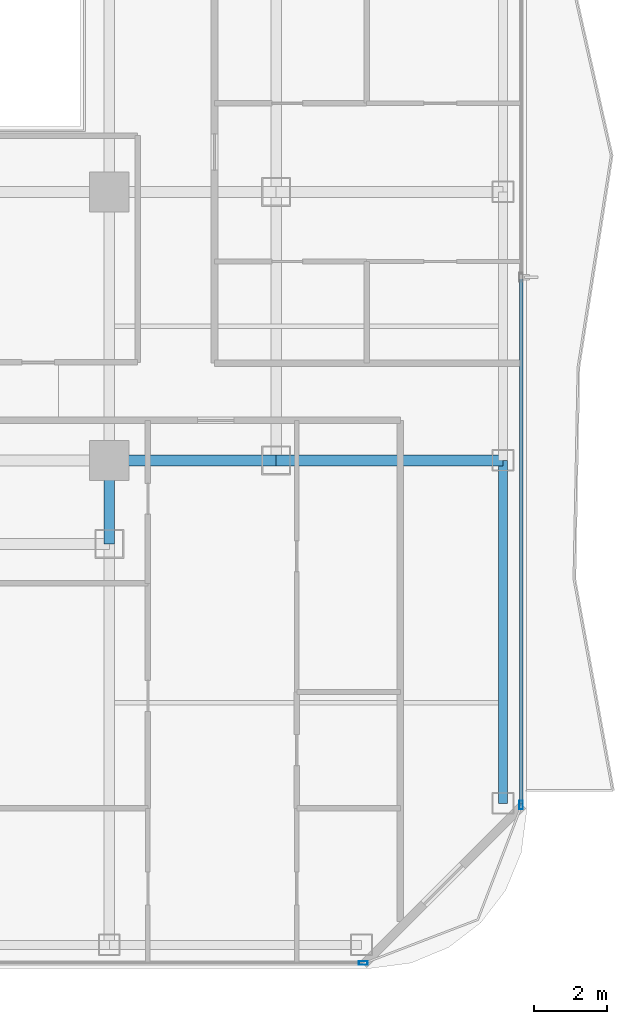
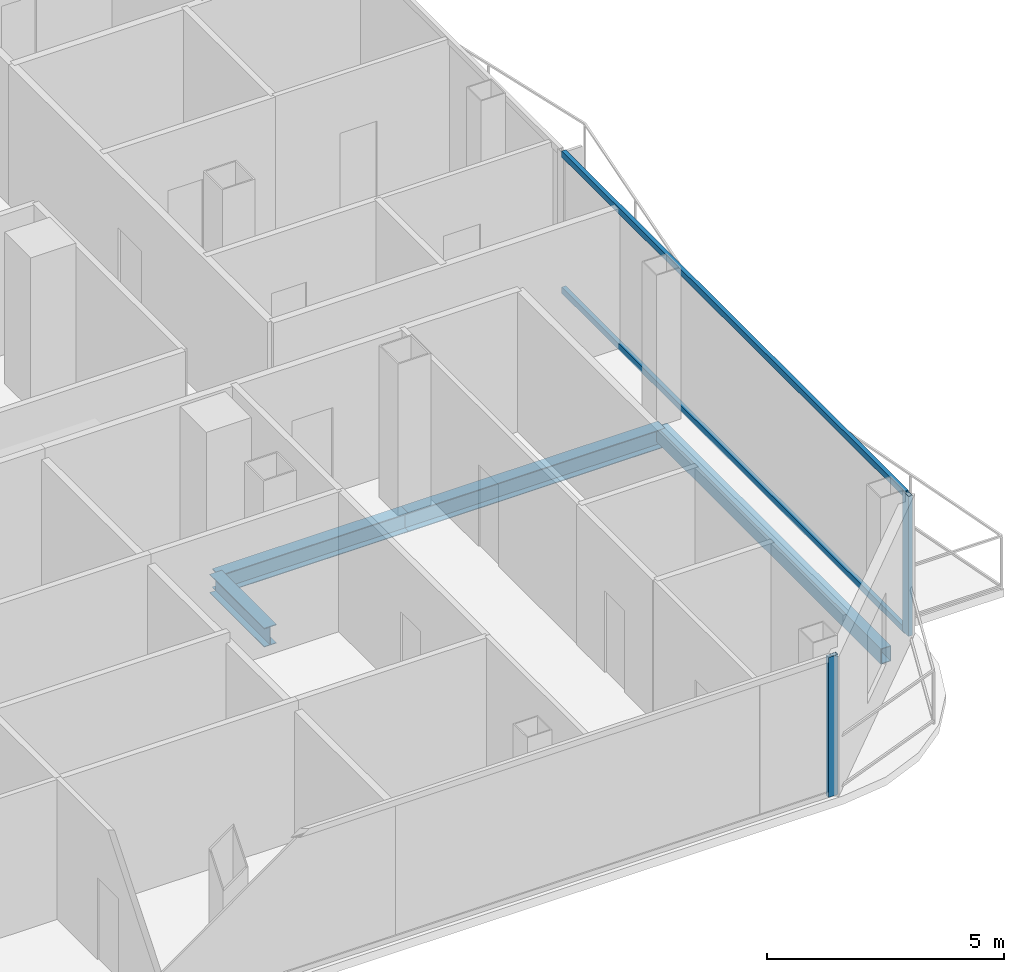
# One storey, part 10 of 27: 4 beams, 4 members, 2 elements without a shape of their own.
"""IFC4 building model written with IfcOpenShell, lengths in metres."""

from ifc_helpers import new_model, si_unit, direction, frame, origin, origin_2d, place, context, subcontext, project, spatial, hollow_rectangle, i_section, extrude, material, layer, layer_set, material_profile, profile_set, type_object, element, aggregate, save


model = new_model("IFC4")

# Units and contexts
model_context = context("Model", 3, precision=1e-05, world=origin(), true_north=direction((0.0, 1.0)))
body_context = subcontext(model_context, "Body", "Model", "MODEL_VIEW")
ifc_project = project(units=[si_unit("LENGTHUNIT", "METRE"), si_unit("AREAUNIT", "SQUARE_METRE"), si_unit("VOLUMEUNIT", "CUBIC_METRE"), si_unit("PLANEANGLEUNIT", "RADIAN"), si_unit("MASSUNIT", "GRAM", prefix="KILO")], contexts=[model_context])

# Site, building, storey
site_placement = place(None, origin())
site = spatial("IfcSite", under=ifc_project, at=site_placement, CompositionType="ELEMENT")
building_placement = place(site_placement, origin())
building = spatial("IfcBuilding", under=site, at=building_placement, Name="Khorvyn Point Tower", CompositionType="ELEMENT")
storey_placement = place(building_placement, frame((0.0, 0.0, 231.300048828125)))
storey = spatial("IfcBuildingStorey", under=building, at=storey_placement, Name="L57", CompositionType="ELEMENT", Elevation=231.300048828125)

# Curtain wall, member
ifc_material_1 = material(Name="Anodised aluminium 6063-T6 and laminated Low-E glass", Category="aluminium")
ifc_layer = layer(ifc_material_1, 0.18994140625)
ifc_layer_set = layer_set([ifc_layer], Name="Stick-Built Acoustic Curtain Wall CW-SYS-03")
curtain_wall_type = type_object("IfcCurtainWallType", Name="Stick-Built Acoustic Curtain Wall CW-SYS-03", PredefinedType="NOTDEFINED", material=ifc_layer_set)
curtain_wall_1_placement = place(storey_placement, origin())
curtain_wall_1 = element("IfcCurtainWall", 1, at=curtain_wall_1_placement, inside=storey, type_object=curtain_wall_type, Name="Curtain Wall", PredefinedType="NOTDEFINED")
ifc_material_2 = material(Name="Anodised aluminium 6063-T6", Category="aluminium")
ifc_material_profile_1 = material_profile(ifc_material_2, hollow_rectangle(XDim=0.10009765625, YDim=0.239990234375, WallThickness=0.0048828125, at=origin_2d()))
ifc_profile_set_1 = profile_set([ifc_material_profile_1], Name="Anodised aluminium 6063-T6 ALU-MUL-100x240")
member_type_1 = type_object("IfcMemberType", Name="Anodised Aluminium 6063-T6 Mullion ALU-MUL-100x240", PredefinedType="MULLION", material=ifc_profile_set_1)
member_1_placement = place(storey_placement, frame((21.800048828125, -28.64990234375, 0.0), z_axis=(0.0, 0.0, 1.0), x_axis=(0.0, -1.0, 0.0)))
member_1 = element("IfcMember", 2, at=member_1_placement, type_object=member_type_1, Name="Transom", PredefinedType="MULLION", context=body_context, shape_type="SweptSolid", body=[
    extrude(hollow_rectangle(XDim=0.10009765625, YDim=0.239990234375, WallThickness=0.0048828125, at=origin_2d()), origin(), (0.0, 0.0, 1.0), 3.599853515625),
])
aggregate(curtain_wall_1, [member_1])

# Curtain wall, members
curtain_wall_2_placement = place(storey_placement, origin())
curtain_wall_2 = element("IfcCurtainWall", 3, at=curtain_wall_2_placement, inside=storey, type_object=curtain_wall_type, Name="Curtain Wall", PredefinedType="NOTDEFINED")
member_2_placement = place(storey_placement, frame((26.14990234375, -24.300048828125, 0.0), z_axis=(0.0, 0.0, 1.0), x_axis=(1.0, 0.0, 0.0)))
member_2 = element("IfcMember", 4, at=member_2_placement, type_object=member_type_1, Name="Transom", PredefinedType="MULLION", context=body_context, shape_type="SweptSolid", body=[
    extrude(hollow_rectangle(XDim=0.10009765625, YDim=0.239990234375, WallThickness=0.0048828125, at=origin_2d()), origin(), (0.0, 0.0, 1.0), 3.599853515625),
])
ifc_material_profile_2 = material_profile(ifc_material_2, hollow_rectangle(XDim=0.10009765625, YDim=0.159912109375, WallThickness=0.00439453125, at=origin_2d()))
ifc_profile_set_2 = profile_set([ifc_material_profile_2], Name="Anodised aluminium 6063-T6 ALU-TRN-100x160")
member_type_2 = type_object("IfcMemberType", Name="Anodised Aluminium 6063-T6 Transom ALU-TRN-100x160", PredefinedType="USERDEFINED", material=ifc_profile_set_2)
member_3_placement = place(storey_placement, frame((26.14990234375, -9.803955078125, 0.050048828125), z_axis=(0.0, -1.0, 0.0), x_axis=(1.0, 0.0, 0.0)))
member_3 = element("IfcMember", 5, at=member_3_placement, type_object=member_type_2, Name="Transom", ObjectType="TRANSOM", PredefinedType="USERDEFINED", context=body_context, shape_type="SweptSolid", body=[
    extrude(hollow_rectangle(XDim=0.10009765625, YDim=0.159912109375, WallThickness=0.00439453125, at=origin_2d()), origin(), (0.0, 0.0, 1.0), 14.446044921875),
])
member_4_placement = place(storey_placement, frame((26.14990234375, -9.803955078125, 3.550048828125), z_axis=(0.0, -1.0, 0.0), x_axis=(1.0, 0.0, 0.0)))
member_4 = element("IfcMember", 6, at=member_4_placement, type_object=member_type_2, Name="Transom", ObjectType="TRANSOM", PredefinedType="USERDEFINED", context=body_context, shape_type="SweptSolid", body=[
    extrude(hollow_rectangle(XDim=0.10009765625, YDim=0.159912109375, WallThickness=0.00439453125, at=origin_2d()), origin(), (0.0, 0.0, 1.0), 14.446044921875),
])
aggregate(curtain_wall_2, [member_2, member_3, member_4])

# Beams
ifc_material_3 = material(Name="Steel S355", Category="steel")
ifc_material_profile_3 = material_profile(ifc_material_3, i_section(OverallWidth=0.300048828125, OverallDepth=0.488037109375, WebThickness=0.010986328125, FlangeThickness=0.01806640625, at=origin_2d()))
ifc_profile_set_3 = profile_set([ifc_material_profile_3], Name="Steel S355 H488x300x11x18")
beam_type_1 = type_object("IfcBeamType", Name="Steel S355 Spandrel H488x300x11x18", PredefinedType="SPANDREL", material=ifc_profile_set_3)
beam_1_placement = place(storey_placement, frame((14.800048828125, -14.800048828125, -0.464111328125), z_axis=(1.0, 0.0, 0.0), x_axis=(0.0, 1.0, 0.0)))
element("IfcBeam", 7, at=beam_1_placement, inside=storey, type_object=beam_type_1, Name="Beam", PredefinedType="SPANDREL", context=body_context, shape_type="SweptSolid", body=[
    extrude(i_section(OverallWidth=0.300048828125, OverallDepth=0.488037109375, WebThickness=0.010986328125, FlangeThickness=0.01806640625, at=origin_2d()), origin(), (0.0, 0.0, 1.0), 4.599853515625),
])
beam_2_placement = place(storey_placement, frame((19.39990234375, -14.800048828125, -0.464111328125), z_axis=(1.0, 0.0, 0.0), x_axis=(0.0, 1.0, 0.0)))
element("IfcBeam", 8, at=beam_2_placement, inside=storey, type_object=beam_type_1, Name="Beam", PredefinedType="SPANDREL", context=body_context, shape_type="SweptSolid", body=[
    extrude(i_section(OverallWidth=0.300048828125, OverallDepth=0.488037109375, WebThickness=0.010986328125, FlangeThickness=0.01806640625, at=origin_2d()), origin(), (0.0, 0.0, 1.0), 6.25),
])
beam_3_placement = place(storey_placement, frame((14.800048828125, -17.10009765625, -0.464111328125), z_axis=(0.0, 1.0, 0.0), x_axis=(-1.0, 0.0, 0.0)))
element("IfcBeam", 9, at=beam_3_placement, inside=storey, type_object=beam_type_1, Name="Beam", PredefinedType="SPANDREL", context=body_context, shape_type="SweptSolid", body=[
    extrude(i_section(OverallWidth=0.300048828125, OverallDepth=0.488037109375, WebThickness=0.010986328125, FlangeThickness=0.01806640625, at=origin_2d()), origin(), (0.0, 0.0, 1.0), 2.300048828125),
])
ifc_material_profile_4 = material_profile(ifc_material_3, hollow_rectangle(XDim=0.25, YDim=0.39990234375, WallThickness=0.01611328125, at=origin_2d()))
ifc_profile_set_4 = profile_set([ifc_material_profile_4], Name="Steel S355 RHS400x250x16")
beam_type_2 = type_object("IfcBeamType", Name="Steel S355 Spandrel RHS400x250x16", PredefinedType="SPANDREL", material=ifc_profile_set_4)
beam_4_placement = place(storey_placement, frame((25.64990234375, -24.25, -0.420166015625), z_axis=(0.0, 1.0, 0.0), x_axis=(-1.0, 0.0, 0.0)))
element("IfcBeam", 10, at=beam_4_placement, inside=storey, type_object=beam_type_2, Name="Beam", PredefinedType="SPANDREL", context=body_context, shape_type="SweptSolid", body=[
    extrude(hollow_rectangle(XDim=0.25, YDim=0.39990234375, WallThickness=0.01611328125, at=origin_2d()), origin(), (0.0, 0.0, 1.0), 9.449951171875),
])

save(model, "model.ifc")
